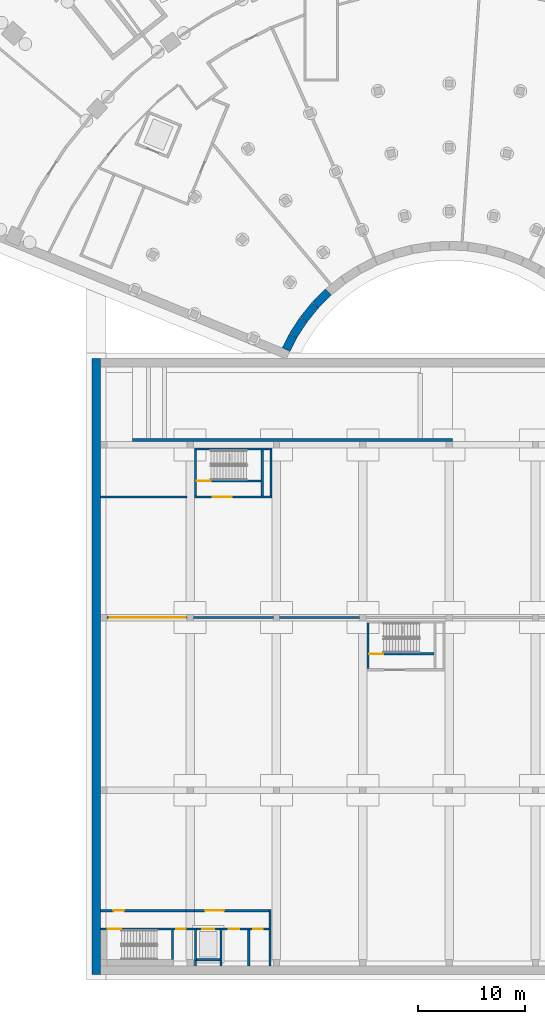
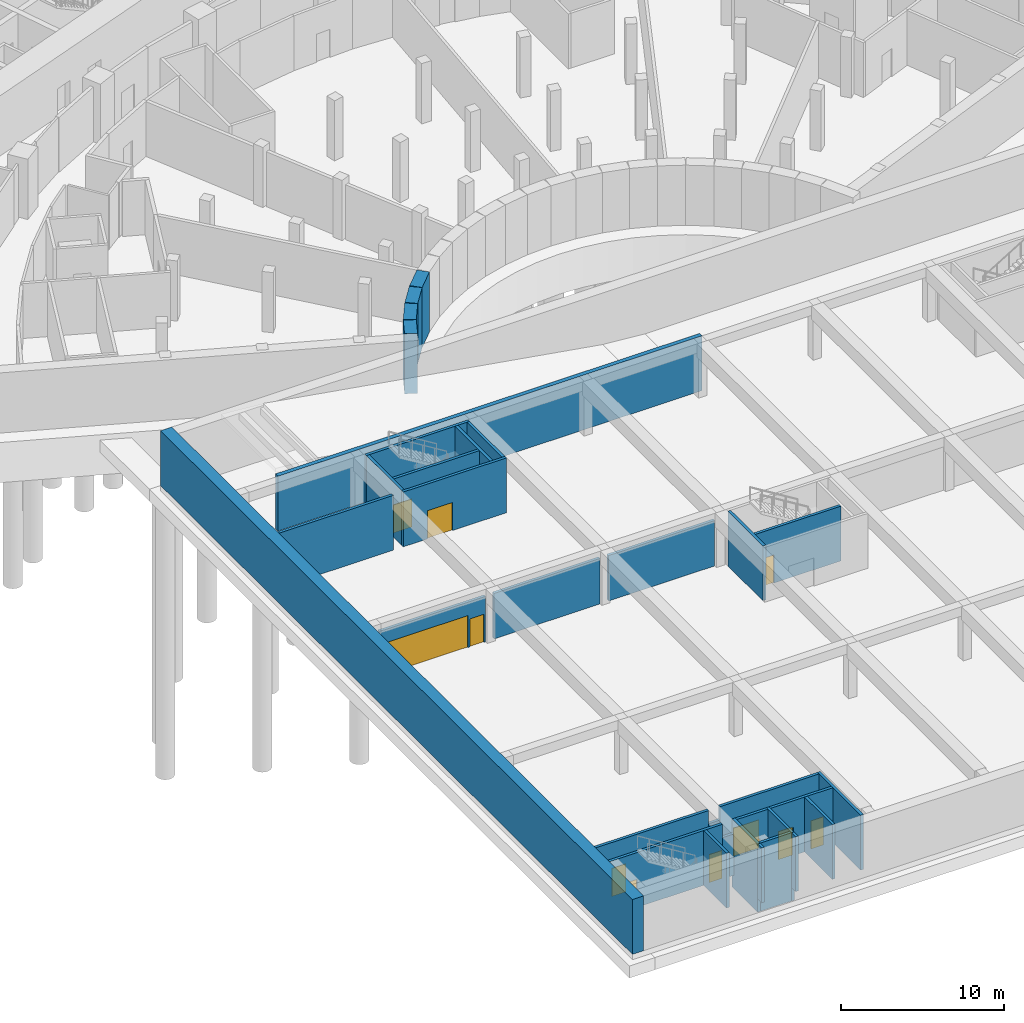
# One storey, part 5 of 25: 33 walls, 12 doors, 12 openings.
"""IFC4 building model written with IfcOpenShell, lengths in metres."""

import ifcopenshell
import ifcopenshell.guid

model = None  # the IFC model being written
_history = None  # IfcOwnerHistory: only IFC2X3 demands one
_inside = {}  # id of a spatial element -> (the spatial element, [elements in it])
_under = {}  # id of a project, library or spatial element -> (it, [spatial elements below it])
_declared = {}  # id of a project -> (the project, [libraries it declares])
_typed = {}  # id of a type object -> (the type object, [elements of that type])
_made_of = {}  # id of a material, layer set ... -> (it, [elements and type objects made of it])


def new_model(schema):
    """Start an empty IFC model of exactly this schema.

    Asked for "IFC4X3", IfcOpenShell would pick the latest addendum, in which some entities
    have other attributes; the version numbers below select the first issue.
    IFC2X3 requires an IfcOwnerHistory on every rooted entity: one is made here for all.
    """
    global model, _history
    if schema == "IFC4X3":
        model = ifcopenshell.file(schema_version=(4, 3, 0, 0))
    else:
        model = ifcopenshell.file(schema=schema)
    _inside.clear()
    _under.clear()
    _declared.clear()
    _typed.clear()
    _made_of.clear()
    _history = None
    if model.schema == "IFC2X3":
        org = make("IfcOrganization", Name="unknown")
        user = make(
            "IfcPersonAndOrganization",
            ThePerson=make("IfcPerson", FamilyName="unknown"),
            TheOrganization=org,
        )
        app = make(
            "IfcApplication",
            ApplicationDeveloper=org,
            Version="unknown",
            ApplicationFullName="unknown",
            ApplicationIdentifier="unknown",
        )
        _history = make(
            "IfcOwnerHistory",
            OwningUser=user,
            OwningApplication=app,
            ChangeAction="ADDED",
            CreationDate=0,
        )
    return model


def make(cls, **values):
    """One entity of the class cls with the attributes given. An attribute that is None is left unset."""
    return model.create_entity(
        cls, **{name: value for name, value in values.items() if value is not None}
    )


def rooted(cls, **values):
    """An entity with a GlobalId (a new one), such as an element, a storey or a relation."""
    return make(cls, GlobalId=ifcopenshell.guid.new(), OwnerHistory=_history, **values)


def si_unit(unit_type, name, prefix=None):
    """IfcSIUnit, for example si_unit("LENGTHUNIT", "METRE", prefix="MILLI")."""
    return make("IfcSIUnit", UnitType=unit_type, Prefix=prefix, Name=name)


def assignment(units):
    """IfcUnitAssignment: the units of a project."""
    return None if units is None else make("IfcUnitAssignment", Units=units)


def point(xyz):
    """IfcCartesianPoint."""
    return None if xyz is None else make("IfcCartesianPoint", Coordinates=xyz)


def direction(xyz):
    """IfcDirection."""
    return None if xyz is None else make("IfcDirection", DirectionRatios=xyz)


def frame(location, z_axis=None, x_axis=None):
    """IfcAxis2Placement3D, a coordinate frame: its origin and axes. An axis left out is left unset."""
    return make(
        "IfcAxis2Placement3D",
        Location=point(location),
        Axis=direction(z_axis),
        RefDirection=direction(x_axis),
    )


def frame_2d(location, x_axis=None):
    """IfcAxis2Placement2D, a coordinate frame in the plane: its origin and x axis."""
    return make(
        "IfcAxis2Placement2D", Location=point(location), RefDirection=direction(x_axis)
    )


def origin():
    """The frame at (0, 0, 0) with its axes left unset."""
    return frame((0.0, 0.0, 0.0))


def place(relative_to, where):
    """IfcLocalPlacement: puts the frame where relative to a parent placement (None: the world)."""
    return make(
        "IfcLocalPlacement", PlacementRelTo=relative_to, RelativePlacement=where
    )


def context(
    kind, dimensions, precision=None, world=None, true_north=None, identifier=None
):
    """IfcGeometricRepresentationContext, for example the 3D "Model" context."""
    return make(
        "IfcGeometricRepresentationContext",
        ContextIdentifier=identifier,
        ContextType=kind,
        CoordinateSpaceDimension=dimensions,
        Precision=precision,
        WorldCoordinateSystem=world,
        TrueNorth=true_north,
    )


def subcontext(parent, identifier, kind, view, scale=None):
    """IfcGeometricRepresentationSubContext, for example "Body" below "Model"."""
    return make(
        "IfcGeometricRepresentationSubContext",
        ContextIdentifier=identifier,
        ContextType=kind,
        ParentContext=parent,
        TargetScale=scale,
        TargetView=view,
    )


def project(units=None, contexts=None):
    """IfcProject with its units and contexts."""
    return rooted(
        "IfcProject",
        Name="project",
        RepresentationContexts=contexts,
        UnitsInContext=assignment(units),
    )


def spatial(cls, under=None, at=None, **own):
    """A site, building, storey or space (cls), placed at a placement, below another one or the project."""
    s = rooted(cls, ObjectPlacement=at, **own)
    if under is not None:
        _under.setdefault(under.id(), (under, []))[1].append(s)
    return s


def profile(cls, at=None, kind="AREA", **sizes):
    """A parametric profile (cls). Its sizes go by their IFC names, for example OverallWidth=200.0."""
    return make(cls, ProfileType=kind, Position=at, **sizes)


def rectangle(**sizes):
    """IfcRectangleProfileDef."""
    return profile("IfcRectangleProfileDef", **sizes)


def extrude(swept, where, along, depth):
    """IfcExtrudedAreaSolid: the profile swept, set in the frame where, extruded along a direction by depth."""
    return make(
        "IfcExtrudedAreaSolid",
        SweptArea=swept,
        Position=where,
        ExtrudedDirection=direction(along),
        Depth=depth,
    )


def shape(context_of_items, identifier, shape_type, items):
    """IfcShapeRepresentation: the items that make up one representation, for example the "Body"."""
    return make(
        "IfcShapeRepresentation",
        ContextOfItems=context_of_items,
        RepresentationIdentifier=identifier,
        RepresentationType=shape_type,
        Items=items,
    )


def material(Name=None, Category=None):
    """IfcMaterial."""
    return make("IfcMaterial", Name=Name, Category=Category)


def layer(
    of_material, thickness, ventilated=None, Name=None, Category=None, Priority=None
):
    """IfcMaterialLayer: one layer of a wall or slab, of a material (None: an air gap)."""
    return make(
        "IfcMaterialLayer",
        Material=of_material,
        LayerThickness=thickness,
        IsVentilated=ventilated,
        Name=Name,
        Category=Category,
        Priority=Priority,
    )


def layer_set(layers, Name=None):
    """IfcMaterialLayerSet."""
    return make("IfcMaterialLayerSet", MaterialLayers=layers, LayerSetName=Name)


def made_of(thing, what):
    """Note that an element or type object is made of a material, layer set ...; save() writes the relation."""
    if what is not None:
        _made_of.setdefault(what.id(), (what, []))[1].append(thing)
    return thing


def type_object(cls, material=None, **own):
    """A type object (cls), such as IfcWallType, which elements share."""
    return made_of(rooted(cls, **own), material)


def element(
    cls,
    number,
    at=None,
    inside=None,
    cuts=None,
    type_object=None,
    material=None,
    context=None,
    identifier="Body",
    shape_type=None,
    held_by="IfcProductDefinitionShape",
    body=None,
    shapes=None,
    **own,
):
    """One element of the class cls, such as IfcWall. Its Tag is "e" and its number.

    at: its placement. inside: the storey or other place that contains it. cuts: it is an
    opening in that element (IfcRelVoidsElement). A single representation is given by context,
    identifier, shape_type and body (its items); several are given by shapes. held_by: the class
    of the entity that holds the representations. save() writes the other relations.
    """
    e = rooted(cls, Tag="e%d" % number, ObjectPlacement=at, **own)
    if body is not None:
        shapes = [shape(context, identifier, shape_type, body)]
    if shapes is not None:
        e.Representation = make(held_by, Representations=shapes)
    if inside is not None:
        _inside.setdefault(inside.id(), (inside, []))[1].append(e)
    if cuts is not None:
        rooted(
            "IfcRelVoidsElement", RelatingBuildingElement=cuts, RelatedOpeningElement=e
        )
    if type_object is not None:
        _typed.setdefault(type_object.id(), (type_object, []))[1].append(e)
    return made_of(e, material)


def fill(opening, filler):
    """IfcRelFillsElement: the door or window that sits in an opening."""
    return rooted(
        "IfcRelFillsElement",
        RelatingOpeningElement=opening,
        RelatedBuildingElement=filler,
    )


def aggregate(whole, parts):
    """IfcRelAggregates: a whole, such as a stair, and the parts it consists of."""
    return rooted("IfcRelAggregates", RelatingObject=whole, RelatedObjects=parts)


def save(model, path):
    """Write the relations noted so far, then the file.

    IfcRelAggregates (storeys below a building ...), IfcRelContainedInSpatialStructure (elements
    in a storey), IfcRelDefinesByType, IfcRelAssociatesMaterial and IfcRelDeclares: one each for
    every whole, place, type object, material and project.
    """
    for whole, parts in _under.values():
        aggregate(whole, parts)
    for where, things in _inside.values():
        rooted(
            "IfcRelContainedInSpatialStructure",
            RelatedElements=things,
            RelatingStructure=where,
        )
    for kind, things in _typed.values():
        rooted("IfcRelDefinesByType", RelatedObjects=things, RelatingType=kind)
    for what, things in _made_of.values():
        rooted("IfcRelAssociatesMaterial", RelatedObjects=things, RelatingMaterial=what)
    for by, libraries in _declared.values():
        rooted("IfcRelDeclares", RelatingContext=by, RelatedDefinitions=libraries)
    model.write(path)


model = new_model("IFC4")

# Units and contexts
model_context = context("Model", 3, precision=1e-05, world=origin(), true_north=direction((0.0, 1.0)))
body_context = subcontext(model_context, "Body", "Model", "MODEL_VIEW")
ifc_project = project(units=[si_unit("LENGTHUNIT", "METRE"), si_unit("AREAUNIT", "SQUARE_METRE"), si_unit("VOLUMEUNIT", "CUBIC_METRE"), si_unit("PLANEANGLEUNIT", "RADIAN"), si_unit("MASSUNIT", "GRAM", prefix="KILO")], contexts=[model_context])

# Site, building, storey
site_placement = place(None, origin())
site = spatial("IfcSite", under=ifc_project, at=site_placement, CompositionType="ELEMENT")
building_placement = place(site_placement, origin())
building = spatial("IfcBuilding", under=site, at=building_placement, Name="Stone Belt Terrace Tower", CompositionType="ELEMENT")
storey_placement = place(building_placement, frame((0.0, 0.0, -13.5)))
storey = spatial("IfcBuildingStorey", under=building, at=storey_placement, Name="B3", CompositionType="ELEMENT", Elevation=-13.5)

# Walls
ifc_material_1 = material(Name="Concrete B30", Category="concrete")
ifc_layer_1 = layer(ifc_material_1, 0.800048828125)
ifc_layer_set_1 = layer_set([ifc_layer_1], Name="Basement wall 800 B30")
wall_type_1 = type_object("IfcWallType", Name="Basement wall 800 B30", PredefinedType="SHEAR", material=ifc_layer_set_1)
wall_1_placement = place(storey_placement, frame((-15.30029296875, 7.13427734375, 0.0), z_axis=(0.0, 0.0, 1.0), x_axis=(0.450505301603, 0.892773752542, 0.0)))
element("IfcWall", 1, at=wall_1_placement, inside=storey, type_object=wall_type_1, Name="Basement wall B3 1", PredefinedType="SHEAR", context=body_context, shape_type="SweptSolid", body=[
    extrude(rectangle(XDim=1.452392578125, YDim=0.800048828125, at=frame_2d((0.72607421875, 0.0))), origin(), (0.0, 0.0, 1.0), 4.5),
])
wall_2_placement = place(storey_placement, frame((-14.62451171875, 8.468505859375, 0.0), z_axis=(0.0, 0.0, 1.0), x_axis=(0.544739789937, 0.838605128329, 0.0)))
element("IfcWall", 2, at=wall_2_placement, inside=storey, type_object=wall_type_1, Name="Basement wall B3 2", PredefinedType="SHEAR", context=body_context, shape_type="SweptSolid", body=[
    extrude(rectangle(XDim=1.726318359375, YDim=0.800048828125, at=frame_2d((0.86328125, 0.0))), origin(), (0.0, 0.0, 1.0), 4.5),
])
for number, where, z_axis, x_axis, name in (
    (3, (-13.65966796875, 9.9501953125, 0.0), (0.0, 0.0, 1.0), (0.629303947211, 0.777159277127, 0.0), "Basement wall B3 3"),
    (4, (-12.544677734375, 11.323486328125, 0.0), (0.0, 0.0, 1.0), (0.707106781187, 0.707106781187, 0.0), "Basement wall B3 4"),
):
    element("IfcWall", number, at=place(storey_placement, frame(where, z_axis=z_axis, x_axis=x_axis)), inside=storey, type_object=wall_type_1, Name=name, PredefinedType="SHEAR", context=body_context, shape_type="SweptSolid", body=[
        extrude(rectangle(XDim=1.72705078125, YDim=0.800048828125, at=frame_2d((0.863525390625, 0.0))), origin(), (0.0, 0.0, 1.0), 4.5),
    ])
ifc_layer_2 = layer(ifc_material_1, 0.199951171875)
ifc_layer_set_2 = layer_set([ifc_layer_2], Name="Car park core wall 200")
wall_type_2 = type_object("IfcWallType", Name="Car park core wall 200", PredefinedType="SOLIDWALL", material=ifc_layer_set_2)
wall_3_placement = place(storey_placement, frame((-32.699951171875, -6.699951171875, 0.0), z_axis=(0.0, 0.0, 1.0), x_axis=(1.0, 0.0, 0.0)))
element("IfcWall", 5, at=wall_3_placement, inside=storey, type_object=wall_type_2, Name="Car park lane end wall", PredefinedType="SOLIDWALL", context=body_context, shape_type="SweptSolid", body=[
    extrude(rectangle(XDim=8.099853515625, YDim=0.199951171875, at=frame_2d((4.0498046875, 0.0))), origin(), (0.0, 0.0, 1.0), 4.10009765625),
])
wall_4_placement = place(storey_placement, frame((-25.93994140625, -50.10009765625, 0.0), z_axis=(0.0, 0.0, 1.0), x_axis=(0.0, 1.0, 0.0)))
element("IfcWall", 6, at=wall_4_placement, inside=storey, type_object=wall_type_2, Name="Car park stair 1 wall", PredefinedType="SOLIDWALL", context=body_context, shape_type="SweptSolid", body=[
    extrude(rectangle(XDim=2.800048828125, YDim=0.199951171875, at=frame_2d((1.39990234375, 0.0))), origin(), (0.0, 0.0, 1.0), 4.10009765625),
])

# Wall, openings, doors
wall_5_placement = place(storey_placement, frame((-32.699951171875, -47.199951171875, 0.0), z_axis=(0.0, 0.0, 1.0), x_axis=(1.0, 0.0, 0.0)))
wall_5 = element("IfcWall", 7, at=wall_5_placement, inside=storey, type_object=wall_type_2, Name="Car park core 1 wall", PredefinedType="SOLIDWALL", context=body_context, shape_type="SweptSolid", body=[
    extrude(rectangle(XDim=8.0, YDim=0.199951171875, at=frame_2d((4.0, 0.0))), origin(), (0.0, 0.0, 1.0), 4.10009765625),
])
opening_1_placement = place(wall_5_placement, frame((0.64990234375, 0.0, 0.0)))
opening_1 = element("IfcOpeningElement", 8, at=opening_1_placement, cuts=wall_5, Name="Opening B3-S05", PredefinedType="OPENING", context=body_context, shape_type="SweptSolid", body=[
    extrude(rectangle(XDim=1.300048828125, YDim=2.10009765625, at=frame_2d((0.64990234375, 1.050048828125))), frame((0.0, 0.10986328125, 0.0), z_axis=(0.0, -1.0, 0.0), x_axis=(1.0, 0.0, 0.0)), (0.0, 0.0, 1.0), 0.219970703125),
])
opening_2_placement = place(wall_5_placement, frame((7.10009765625, 0.0, 0.0)))
opening_2 = element("IfcOpeningElement", 9, at=opening_2_placement, cuts=wall_5, Name="Opening B3-S06", PredefinedType="OPENING", context=body_context, shape_type="SweptSolid", body=[
    extrude(rectangle(XDim=0.89990234375, YDim=2.10009765625, at=frame_2d((0.449951171875, 1.050048828125))), frame((0.0, 0.10986328125, 0.0), z_axis=(0.0, -1.0, 0.0), x_axis=(1.0, 0.0, 0.0)), (0.0, 0.0, 1.0), 0.219970703125),
])
ifc_material_2 = material(Name="Steel door leaf", Category="steel")
door_type_1 = type_object("IfcDoorType", Name="Core door 1300 fire rated", OperationType="NOTDEFINED", PredefinedType="DOOR", material=ifc_material_2)
door_1_placement = place(opening_1_placement, origin())
door_1 = element("IfcDoor", 10, at=door_1_placement, inside=storey, type_object=door_type_1, Name="Stair 1 door", OperationType="SINGLE_SWING_LEFT", OverallHeight=2.10009765625, OverallWidth=1.300048828125, PredefinedType="DOOR", context=body_context, shape_type="SweptSolid", body=[
    extrude(rectangle(XDim=1.300048828125, YDim=2.10009765625, at=frame_2d((0.64990234375, 1.050048828125))), frame((0.0, 0.02490234375, 0.0), z_axis=(0.0, -1.0, 0.0), x_axis=(1.0, 0.0, 0.0)), (0.0, 0.0, 1.0), 0.050048828125),
])
fill(opening_1, door_1)
door_type_2 = type_object("IfcDoorType", Name="Core door 900 fire rated", OperationType="NOTDEFINED", PredefinedType="DOOR", material=ifc_material_2)
door_2_placement = place(opening_2_placement, origin())
door_2 = element("IfcDoor", 11, at=door_2_placement, inside=storey, type_object=door_type_2, Name="Riser room 1 door", OperationType="SINGLE_SWING_RIGHT", OverallHeight=2.10009765625, OverallWidth=0.89990234375, PredefinedType="DOOR", context=body_context, shape_type="SweptSolid", body=[
    extrude(rectangle(XDim=0.89990234375, YDim=2.10009765625, at=frame_2d((0.449951171875, 1.050048828125))), frame((0.0, 0.02490234375, 0.0), z_axis=(0.0, -1.0, 0.0), x_axis=(1.0, 0.0, 0.0)), (0.0, 0.0, 1.0), 0.050048828125),
])
fill(opening_2, door_2)

wall_6_placement = place(storey_placement, frame((-21.300048828125, -47.199951171875, 0.0), z_axis=(0.0, 0.0, 1.0), x_axis=(1.0, 0.0, 0.0)))
wall_6 = element("IfcWall", 12, at=wall_6_placement, inside=storey, type_object=wall_type_2, Name="Car park core 1 wall", PredefinedType="SOLIDWALL", context=body_context, shape_type="SweptSolid", body=[
    extrude(rectangle(XDim=4.400146484375, YDim=0.199951171875, at=frame_2d((2.2001953125, 0.0))), origin(), (0.0, 0.0, 1.0), 4.10009765625),
])
opening_3_placement = place(wall_6_placement, frame((0.60009765625, 0.0, 0.0)))
opening_3 = element("IfcOpeningElement", 13, at=opening_3_placement, cuts=wall_6, Name="Opening B3-S08", PredefinedType="OPENING", context=body_context, shape_type="SweptSolid", body=[
    extrude(rectangle(XDim=1.0, YDim=2.10009765625, at=frame_2d((0.5, 1.050048828125))), frame((0.0, 0.10986328125, 0.0), z_axis=(0.0, -1.0, 0.0), x_axis=(1.0, 0.0, 0.0)), (0.0, 0.0, 1.0), 0.219970703125),
])
opening_4_placement = place(wall_6_placement, frame((2.89990234375, 0.0, 0.0)))
opening_4 = element("IfcOpeningElement", 14, at=opening_4_placement, cuts=wall_6, Name="Opening B3-S09", PredefinedType="OPENING", context=body_context, shape_type="SweptSolid", body=[
    extrude(rectangle(XDim=0.89990234375, YDim=2.10009765625, at=frame_2d((0.449951171875, 1.050048828125))), frame((0.0, 0.10986328125, 0.0), z_axis=(0.0, -1.0, 0.0), x_axis=(1.0, 0.0, 0.0)), (0.0, 0.0, 1.0), 0.219970703125),
])
door_type_3 = type_object("IfcDoorType", Name="Core door 1000 fire rated", OperationType="NOTDEFINED", PredefinedType="DOOR", material=ifc_material_2)
door_3_placement = place(opening_3_placement, origin())
door_3 = element("IfcDoor", 15, at=door_3_placement, inside=storey, type_object=door_type_3, Name="Accessible WC 1 door", OperationType="SINGLE_SWING_LEFT", OverallHeight=2.10009765625, OverallWidth=1.0, PredefinedType="DOOR", context=body_context, shape_type="SweptSolid", body=[
    extrude(rectangle(XDim=1.0, YDim=2.10009765625, at=frame_2d((0.5, 1.050048828125))), frame((0.0, 0.02490234375, 0.0), z_axis=(0.0, -1.0, 0.0), x_axis=(1.0, 0.0, 0.0)), (0.0, 0.0, 1.0), 0.050048828125),
])
fill(opening_3, door_3)
door_4_placement = place(opening_4_placement, origin())
door_4 = element("IfcDoor", 16, at=door_4_placement, inside=storey, type_object=door_type_2, Name="Equipment store 1 door", OperationType="SINGLE_SWING_RIGHT", OverallHeight=2.10009765625, OverallWidth=0.89990234375, PredefinedType="DOOR", context=body_context, shape_type="SweptSolid", body=[
    extrude(rectangle(XDim=0.89990234375, YDim=2.10009765625, at=frame_2d((0.449951171875, 1.050048828125))), frame((0.0, 0.02490234375, 0.0), z_axis=(0.0, -1.0, 0.0), x_axis=(1.0, 0.0, 0.0)), (0.0, 0.0, 1.0), 0.050048828125),
])
fill(opening_4, door_4)

# Walls
for number, where, z_axis, x_axis, name in (
    (17, (-23.800048828125, -50.699951171875, 0.0), (0.0, 0.0, 1.0), (0.0, 1.0, 0.0), "Car park core 1 wall"),
    (18, (-21.39990234375, -50.699951171875, 0.0), (0.0, 0.0, 1.0), (0.0, 1.0, 0.0), "Car park core 1 wall"),
):
    element("IfcWall", number, at=place(storey_placement, frame(where, z_axis=z_axis, x_axis=x_axis)), inside=storey, type_object=wall_type_2, Name=name, PredefinedType="SOLIDWALL", context=body_context, shape_type="SweptSolid", body=[
        extrude(rectangle(XDim=0.5, YDim=0.199951171875, at=frame_2d((0.25, 0.0))), origin(), (0.0, 0.0, 1.0), 4.10009765625),
    ])
wall_7_placement = place(storey_placement, frame((-16.800048828125, -50.699951171875, 0.0), z_axis=(0.0, 0.0, 1.0), x_axis=(0.0, 1.0, 0.0)))
element("IfcWall", 19, at=wall_7_placement, inside=storey, type_object=wall_type_2, Name="Car park core 1 wall", PredefinedType="SOLIDWALL", context=body_context, shape_type="SweptSolid", body=[
    extrude(rectangle(XDim=5.300048828125, YDim=0.199951171875, at=frame_2d((2.64990234375, 0.0))), origin(), (0.0, 0.0, 1.0), 4.10009765625),
])

# Wall, opening, door
wall_8_placement = place(storey_placement, frame((-32.699951171875, -45.5, 0.0), z_axis=(0.0, 0.0, 1.0), x_axis=(1.0, 0.0, 0.0)))
wall_8 = element("IfcWall", 20, at=wall_8_placement, inside=storey, type_object=wall_type_2, Name="Car park core 1 front wall", PredefinedType="SOLIDWALL", context=body_context, shape_type="SweptSolid", body=[
    extrude(rectangle(XDim=8.0, YDim=0.199951171875, at=frame_2d((4.0, 0.0))), origin(), (0.0, 0.0, 1.0), 4.10009765625),
])
opening_5_placement = place(wall_8_placement, frame((1.199951171875, 0.0, 0.0)))
opening_5 = element("IfcOpeningElement", 21, at=opening_5_placement, cuts=wall_8, Name="Opening B3-S11", PredefinedType="OPENING", context=body_context, shape_type="SweptSolid", body=[
    extrude(rectangle(XDim=1.0, YDim=2.10009765625, at=frame_2d((0.5, 1.050048828125))), frame((0.0, 0.10986328125, 0.0), z_axis=(0.0, -1.0, 0.0), x_axis=(1.0, 0.0, 0.0)), (0.0, 0.0, 1.0), 0.219970703125),
])
door_5_placement = place(opening_5_placement, origin())
door_5 = element("IfcDoor", 22, at=door_5_placement, inside=storey, type_object=door_type_3, Name="Car park exit 1 door", OperationType="SINGLE_SWING_RIGHT", OverallHeight=2.10009765625, OverallWidth=1.0, PredefinedType="DOOR", context=body_context, shape_type="SweptSolid", body=[
    extrude(rectangle(XDim=1.0, YDim=2.10009765625, at=frame_2d((0.5, 1.050048828125))), frame((0.0, 0.02490234375, 0.0), z_axis=(0.0, -1.0, 0.0), x_axis=(1.0, 0.0, 0.0)), (0.0, 0.0, 1.0), 0.050048828125),
])
fill(opening_5, door_5)

wall_9_placement = place(storey_placement, frame((-23.89990234375, -45.5, 0.0), z_axis=(0.0, 0.0, 1.0), x_axis=(1.0, 0.0, 0.0)))
wall_9 = element("IfcWall", 23, at=wall_9_placement, inside=storey, type_object=wall_type_2, Name="Car park core 1 front wall", PredefinedType="SOLIDWALL", context=body_context, shape_type="SweptSolid", body=[
    extrude(rectangle(XDim=7.0, YDim=0.199951171875, at=frame_2d((3.5, 0.0))), origin(), (0.0, 0.0, 1.0), 4.10009765625),
])
opening_6_placement = place(wall_9_placement, frame((1.0, 0.0, 0.0)))
opening_6 = element("IfcOpeningElement", 24, at=opening_6_placement, cuts=wall_9, Name="Opening B3-S10", PredefinedType="OPENING", context=body_context, shape_type="SweptSolid", body=[
    extrude(rectangle(XDim=1.800048828125, YDim=2.10009765625, at=frame_2d((0.89990234375, 1.050048828125))), frame((0.0, 0.10986328125, 0.0), z_axis=(0.0, -1.0, 0.0), x_axis=(1.0, 0.0, 0.0)), (0.0, 0.0, 1.0), 0.219970703125),
])
door_type_4 = type_object("IfcDoorType", Name="Core door pair 1800 fire rated", OperationType="DOUBLE_DOOR_DOUBLE_SWING", PredefinedType="DOOR", material=ifc_material_2)
door_6_placement = place(opening_6_placement, origin())
door_6 = element("IfcDoor", 25, at=door_6_placement, inside=storey, type_object=door_type_4, Name="Car park lobby 1 door", OperationType="SINGLE_SWING_LEFT", OverallHeight=2.10009765625, OverallWidth=1.800048828125, PredefinedType="DOOR", context=body_context, shape_type="SweptSolid", body=[
    extrude(rectangle(XDim=1.800048828125, YDim=2.10009765625, at=frame_2d((0.89990234375, 1.050048828125))), frame((0.0, 0.02490234375, 0.0), z_axis=(0.0, -1.0, 0.0), x_axis=(1.0, 0.0, 0.0)), (0.0, 0.0, 1.0), 0.050048828125),
])
fill(opening_6, door_6)

wall_10_placement = place(storey_placement, frame((-23.89990234375, -6.699951171875, 0.0), z_axis=(0.0, 0.0, 1.0), x_axis=(1.0, 0.0, 0.0)))
wall_10 = element("IfcWall", 26, at=wall_10_placement, inside=storey, type_object=wall_type_2, Name="Car park stair 3 front wall", PredefinedType="SOLIDWALL", context=body_context, shape_type="SweptSolid", body=[
    extrude(rectangle(XDim=7.2998046875, YDim=0.199951171875, at=frame_2d((3.64990234375, 0.0))), origin(), (0.0, 0.0, 1.0), 4.10009765625),
])
opening_7_placement = place(wall_10_placement, frame((1.699951171875, 0.0, 0.0)))
opening_7 = element("IfcOpeningElement", 27, at=opening_7_placement, cuts=wall_10, Name="Opening B3-S20", PredefinedType="OPENING", context=body_context, shape_type="SweptSolid", body=[
    extrude(rectangle(XDim=1.800048828125, YDim=2.10009765625, at=frame_2d((0.89990234375, 1.050048828125))), frame((0.0, 0.10986328125, 0.0), z_axis=(0.0, -1.0, 0.0), x_axis=(1.0, 0.0, 0.0)), (0.0, 0.0, 1.0), 0.219970703125),
])
door_7_placement = place(opening_7_placement, origin())
door_7 = element("IfcDoor", 28, at=door_7_placement, inside=storey, type_object=door_type_4, Name="Car park stair 3 vestibule door", OperationType="SINGLE_SWING_LEFT", OverallHeight=2.10009765625, OverallWidth=1.800048828125, PredefinedType="DOOR", context=body_context, shape_type="SweptSolid", body=[
    extrude(rectangle(XDim=1.800048828125, YDim=2.10009765625, at=frame_2d((0.89990234375, 1.050048828125))), frame((0.0, 0.02490234375, 0.0), z_axis=(0.0, -1.0, 0.0), x_axis=(1.0, 0.0, 0.0)), (0.0, 0.0, 1.0), 0.050048828125),
])
fill(opening_7, door_7)

# Walls
for number, where, z_axis, x_axis, name in (
    (29, (-23.800048828125, -6.60009765625, 0.0), (0.0, 0.0, 1.0), (0.0, 1.0, 0.0), "Car park stair 3 wall"),
    (30, (-17.5400390625, -6.60009765625, 0.0), (0.0, 0.0, 1.0), (0.0, 1.0, 0.0), "Car park stair 3 wall"),
):
    element("IfcWall", number, at=place(storey_placement, frame(where, z_axis=z_axis, x_axis=x_axis)), inside=storey, type_object=wall_type_2, Name=name, PredefinedType="SOLIDWALL", context=body_context, shape_type="SweptSolid", body=[
        extrude(rectangle(XDim=4.300048828125, YDim=0.199951171875, at=frame_2d((2.14990234375, 0.0))), origin(), (0.0, 0.0, 1.0), 4.10009765625),
    ])
wall_11_placement = place(storey_placement, frame((-23.89990234375, -2.199951171875, 0.0), z_axis=(0.0, 0.0, 1.0), x_axis=(1.0, 0.0, 0.0)))
element("IfcWall", 31, at=wall_11_placement, inside=storey, type_object=wall_type_2, Name="Car park stair 3 wall", PredefinedType="SOLIDWALL", context=body_context, shape_type="SweptSolid", body=[
    extrude(rectangle(XDim=7.2998046875, YDim=0.199951171875, at=frame_2d((3.64990234375, 0.0))), origin(), (0.0, 0.0, 1.0), 4.10009765625),
])
wall_12_placement = place(storey_placement, frame((-16.699951171875, -6.60009765625, 0.0), z_axis=(0.0, 0.0, 1.0), x_axis=(0.0, 1.0, 0.0)))
element("IfcWall", 32, at=wall_12_placement, inside=storey, type_object=wall_type_2, Name="Car park stair 3 wall", PredefinedType="SOLIDWALL", context=body_context, shape_type="SweptSolid", body=[
    extrude(rectangle(XDim=4.300048828125, YDim=0.199951171875, at=frame_2d((2.14990234375, 0.0))), origin(), (0.0, 0.0, 1.0), 4.10009765625),
])

# Wall, opening, door
wall_13_placement = place(storey_placement, frame((-23.699951171875, -5.199951171875, 0.0), z_axis=(0.0, 0.0, 1.0), x_axis=(1.0, 0.0, 0.0)))
wall_13 = element("IfcWall", 33, at=wall_13_placement, inside=storey, type_object=wall_type_2, Name="Car park stair 3 vestibule wall", PredefinedType="SOLIDWALL", context=body_context, shape_type="SweptSolid", body=[
    extrude(rectangle(XDim=6.06005859375, YDim=0.199951171875, at=frame_2d((3.030029296875, 0.0))), origin(), (0.0, 0.0, 1.0), 4.10009765625),
])
opening_8_placement = place(wall_13_placement, frame((0.02490234375, 0.0, 0.0)))
opening_8 = element("IfcOpeningElement", 34, at=opening_8_placement, cuts=wall_13, Name="Opening B3-S19", PredefinedType="OPENING", context=body_context, shape_type="SweptSolid", body=[
    extrude(rectangle(XDim=1.300048828125, YDim=2.10009765625, at=frame_2d((0.64990234375, 1.050048828125))), frame((0.0, 0.10986328125, 0.0), z_axis=(0.0, -1.0, 0.0), x_axis=(1.0, 0.0, 0.0)), (0.0, 0.0, 1.0), 0.219970703125),
])
door_8_placement = place(opening_8_placement, origin())
door_8 = element("IfcDoor", 35, at=door_8_placement, inside=storey, type_object=door_type_1, Name="Stair 3 door", OperationType="SINGLE_SWING_LEFT", OverallHeight=2.10009765625, OverallWidth=1.300048828125, PredefinedType="DOOR", context=body_context, shape_type="SweptSolid", body=[
    extrude(rectangle(XDim=1.300048828125, YDim=2.10009765625, at=frame_2d((0.64990234375, 1.050048828125))), frame((0.0, 0.02490234375, 0.0), z_axis=(0.0, -1.0, 0.0), x_axis=(1.0, 0.0, 0.0)), (0.0, 0.0, 1.0), 0.050048828125),
])
fill(opening_8, door_8)

# Wall
wall_14_placement = place(storey_placement, frame((-7.60009765625, -22.800048828125, 0.0), z_axis=(0.0, 0.0, 1.0), x_axis=(0.0, 1.0, 0.0)))
element("IfcWall", 36, at=wall_14_placement, inside=storey, type_object=wall_type_2, Name="Car park stair 5 wall", PredefinedType="SOLIDWALL", context=body_context, shape_type="SweptSolid", body=[
    extrude(rectangle(XDim=4.300048828125, YDim=0.199951171875, at=frame_2d((2.14990234375, 0.0))), origin(), (0.0, 0.0, 1.0), 4.10009765625),
])

# Wall, opening, door
wall_15_placement = place(storey_placement, frame((-7.5, -21.39990234375, 0.0), z_axis=(0.0, 0.0, 1.0), x_axis=(1.0, 0.0, 0.0)))
wall_15 = element("IfcWall", 37, at=wall_15_placement, inside=storey, type_object=wall_type_2, Name="Car park stair 5 vestibule wall", PredefinedType="SOLIDWALL", context=body_context, shape_type="SweptSolid", body=[
    extrude(rectangle(XDim=6.06005859375, YDim=0.199951171875, at=frame_2d((3.030029296875, 0.0))), origin(), (0.0, 0.0, 1.0), 4.10009765625),
])
opening_9_placement = place(wall_15_placement, frame((0.02490234375, 0.0, 0.0)))
opening_9 = element("IfcOpeningElement", 38, at=opening_9_placement, cuts=wall_15, Name="Opening B3-S23", PredefinedType="OPENING", context=body_context, shape_type="SweptSolid", body=[
    extrude(rectangle(XDim=1.300048828125, YDim=2.10009765625, at=frame_2d((0.64990234375, 1.050048828125))), frame((0.0, 0.10986328125, 0.0), z_axis=(0.0, -1.0, 0.0), x_axis=(1.0, 0.0, 0.0)), (0.0, 0.0, 1.0), 0.219970703125),
])
door_9_placement = place(opening_9_placement, origin())
door_9 = element("IfcDoor", 39, at=door_9_placement, inside=storey, type_object=door_type_1, Name="Stair 5 door", OperationType="SINGLE_SWING_LEFT", OverallHeight=2.10009765625, OverallWidth=1.300048828125, PredefinedType="DOOR", context=body_context, shape_type="SweptSolid", body=[
    extrude(rectangle(XDim=1.300048828125, YDim=2.10009765625, at=frame_2d((0.64990234375, 1.050048828125))), frame((0.0, 0.02490234375, 0.0), z_axis=(0.0, -1.0, 0.0), x_axis=(1.0, 0.0, 0.0)), (0.0, 0.0, 1.0), 0.050048828125),
])
fill(opening_9, door_9)

# Walls
ifc_layer_3 = layer(ifc_material_1, 0.199951171875)
ifc_layer_set_3 = layer_set([ifc_layer_3], Name="Car park core wall 200 variant A")
wall_type_3 = type_object("IfcWallType", Name="Car park core wall 200 variant A", PredefinedType="SOLIDWALL", material=ifc_layer_set_3)
for number, where, z_axis, x_axis, name in (
    (40, (-24.699951171875, -47.199951171875, 0.0), (0.0, 0.0, 1.0), (1.0, 0.0, 0.0), "Car park core 1 wall"),
    (41, (-24.699951171875, -45.5, 0.0), (0.0, 0.0, 1.0), (1.0, 0.0, 0.0), "Car park core 1 front wall"),
):
    element("IfcWall", number, at=place(storey_placement, frame(where, z_axis=z_axis, x_axis=x_axis)), inside=storey, type_object=wall_type_3, Name=name, PredefinedType="SOLIDWALL", context=body_context, shape_type="SweptSolid", body=[
        extrude(rectangle(XDim=0.800048828125, YDim=0.199951171875, at=frame_2d((0.39990234375, 0.0))), origin(), (0.0, 0.0, 1.0), 3.10009765625),
    ])

# Wall, opening, door
ifc_layer_4 = layer(ifc_material_1, 0.199951171875)
ifc_layer_set_4 = layer_set([ifc_layer_4], Name="Car park core wall 200 variant B")
wall_type_4 = type_object("IfcWallType", Name="Car park core wall 200 variant B", PredefinedType="SOLIDWALL", material=ifc_layer_set_4)
wall_16_placement = place(storey_placement, frame((-23.699951171875, -47.199951171875, -1.0), z_axis=(0.0, 0.0, 1.0), x_axis=(1.0, 0.0, 0.0)))
wall_16 = element("IfcWall", 42, at=wall_16_placement, inside=storey, type_object=wall_type_4, Name="Car park lift 1 shaft wall", PredefinedType="SOLIDWALL", context=body_context, shape_type="SweptSolid", body=[
    extrude(rectangle(XDim=2.199951171875, YDim=0.199951171875, at=frame_2d((1.10009765625, 0.0))), origin(), (0.0, 0.0, 1.0), 5.10009765625),
])
opening_10_placement = place(wall_16_placement, frame((0.550048828125, 0.0, 1.0)))
opening_10 = element("IfcOpeningElement", 43, at=opening_10_placement, cuts=wall_16, Name="Opening B3-S07", PredefinedType="OPENING", context=body_context, shape_type="SweptSolid", body=[
    extrude(rectangle(XDim=1.10009765625, YDim=2.10009765625, at=frame_2d((0.550048828125, 1.050048828125))), frame((0.0, 0.10986328125, 0.0), z_axis=(0.0, -1.0, 0.0), x_axis=(1.0, 0.0, 0.0)), (0.0, 0.0, 1.0), 0.219970703125),
])
ifc_material_3 = material(Name="Stainless steel", Category="steel")
door_type_5 = type_object("IfcDoorType", Name="Lift landing door 1100", OperationType="SLIDING_TO_LEFT", PredefinedType="DOOR", material=ifc_material_3)
door_10_placement = place(opening_10_placement, origin())
door_10 = element("IfcDoor", 44, at=door_10_placement, inside=storey, type_object=door_type_5, Name="Lift 1 landing door", OperationType="SLIDING_TO_LEFT", OverallHeight=2.10009765625, OverallWidth=1.10009765625, PredefinedType="DOOR", context=body_context, shape_type="SweptSolid", body=[
    extrude(rectangle(XDim=1.10009765625, YDim=2.10009765625, at=frame_2d((0.550048828125, 1.050048828125))), frame((0.0, 0.02490234375, 0.0), z_axis=(0.0, -1.0, 0.0), x_axis=(1.0, 0.0, 0.0)), (0.0, 0.0, 1.0), 0.050048828125),
])
fill(opening_10, door_10)

# Walls
for number, where, z_axis, x_axis, name in (
    (45, (-23.800048828125, -50.199951171875, -1.0), (0.0, 0.0, 1.0), (0.0, 1.0, 0.0), "Car park lift 1 shaft wall"),
    (46, (-21.39990234375, -50.199951171875, -1.0), (0.0, 0.0, 1.0), (0.0, 1.0, 0.0), "Car park lift 1 shaft wall"),
):
    element("IfcWall", number, at=place(storey_placement, frame(where, z_axis=z_axis, x_axis=x_axis)), inside=storey, type_object=wall_type_4, Name=name, PredefinedType="SOLIDWALL", context=body_context, shape_type="SweptSolid", body=[
        extrude(rectangle(XDim=3.099853515625, YDim=0.199951171875, at=frame_2d((1.5498046875, 0.0))), origin(), (0.0, 0.0, 1.0), 5.10009765625),
    ])
wall_17_placement = place(storey_placement, frame((-23.699951171875, -50.10009765625, -1.0), z_axis=(0.0, 0.0, 1.0), x_axis=(1.0, 0.0, 0.0)))
element("IfcWall", 47, at=wall_17_placement, inside=storey, type_object=wall_type_4, Name="Car park lift 1 shaft wall", PredefinedType="SOLIDWALL", context=body_context, shape_type="SweptSolid", body=[
    extrude(rectangle(XDim=2.199951171875, YDim=0.199951171875, at=frame_2d((1.10009765625, 0.0))), origin(), (0.0, 0.0, 1.0), 5.10009765625),
])
ifc_material_4 = material(Name="Blockwork", Category="masonry")
ifc_layer_5 = layer(ifc_material_4, 0.199951171875)
ifc_layer_set_5 = layer_set([ifc_layer_5], Name="Car park partition 200")
wall_type_5 = type_object("IfcWallType", Name="Car park partition 200", PredefinedType="PARTITIONING", material=ifc_layer_set_5)
wall_18_placement = place(storey_placement, frame((-18.800048828125, -50.699951171875, 0.0), z_axis=(0.0, 0.0, 1.0), x_axis=(0.0, 1.0, 0.0)))
element("IfcWall", 48, at=wall_18_placement, inside=storey, type_object=wall_type_5, Name="Car park core 1 partition", PredefinedType="PARTITIONING", context=body_context, shape_type="SweptSolid", body=[
    extrude(rectangle(XDim=3.39990234375, YDim=0.199951171875, at=frame_2d((1.699951171875, 0.0))), origin(), (0.0, 0.0, 1.0), 4.10009765625),
])
ifc_layer_6 = layer(ifc_material_1, 0.300048828125)
ifc_layer_set_6 = layer_set([ifc_layer_6], Name="Car park ramp wall 300")
wall_type_6 = type_object("IfcWallType", Name="Car park ramp wall 300", PredefinedType="SOLIDWALL", material=ifc_layer_set_6)
wall_19_placement = place(storey_placement, frame((-29.699951171875, -1.35009765625, 0.0), z_axis=(0.0, 0.0, 1.0), x_axis=(1.0, 0.0, 0.0)))
element("IfcWall", 49, at=wall_19_placement, inside=storey, type_object=wall_type_6, Name="Car park ramp wall", PredefinedType="SOLIDWALL", context=body_context, shape_type="SweptSolid", body=[
    extrude(rectangle(XDim=30.0, YDim=0.300048828125, at=frame_2d((15.0, 0.0))), origin(), (0.0, 0.0, 1.0), 4.10009765625),
])
ifc_layer_7 = layer(ifc_material_1, 0.800048828125)
ifc_layer_set_7 = layer_set([ifc_layer_7], Name="Car park retaining wall 800")
wall_type_7 = type_object("IfcWallType", Name="Car park retaining wall 800", PredefinedType="SOLIDWALL", material=ifc_layer_set_7)
wall_20_placement = place(storey_placement, frame((-33.10009765625, -51.5, 0.0), z_axis=(0.0, 0.0, 1.0), x_axis=(0.0, 1.0, 0.0)))
element("IfcWall", 50, at=wall_20_placement, inside=storey, type_object=wall_type_7, Name="Car park retaining wall west", PredefinedType="SOLIDWALL", context=body_context, shape_type="SweptSolid", body=[
    extrude(rectangle(XDim=57.800048828125, YDim=0.800048828125, at=frame_2d((28.89990234375, 0.0))), origin(), (0.0, 0.0, 1.0), 4.10009765625),
])

# Wall, openings, doors
ifc_layer_8 = layer(ifc_material_1, 0.199951171875)
ifc_layer_set_8 = layer_set([ifc_layer_8], Name="Compartment wall 200")
wall_type_8 = type_object("IfcWallType", Name="Compartment wall 200", PredefinedType="SOLIDWALL", material=ifc_layer_set_8)
wall_21_placement = place(storey_placement, frame((-32.10009765625, -18.0, 0.0), z_axis=(0.0, 0.0, 1.0), x_axis=(1.0, 0.0, 0.0)))
wall_21 = element("IfcWall", 51, at=wall_21_placement, inside=storey, type_object=wall_type_8, Name="Compartment wall B3 1", PredefinedType="SOLIDWALL", context=body_context, shape_type="SweptSolid", body=[
    extrude(rectangle(XDim=7.5, YDim=0.199951171875, at=frame_2d((3.75, 0.0))), origin(), (0.0, 0.0, 1.0), 3.39990234375),
])
opening_11_placement = place(wall_21_placement, frame((0.25, 0.0, 0.0)))
opening_11 = element("IfcOpeningElement", 52, at=opening_11_placement, cuts=wall_21, Name="Opening B3-S01", PredefinedType="OPENING", context=body_context, shape_type="SweptSolid", body=[
    extrude(rectangle(XDim=6.0, YDim=2.39990234375, at=frame_2d((3.0, 1.199951171875))), frame((0.0, 0.10986328125, 0.0), z_axis=(0.0, -1.0, 0.0), x_axis=(1.0, 0.0, 0.0)), (0.0, 0.0, 1.0), 0.219970703125),
])
opening_12_placement = place(wall_21_placement, frame((6.39990234375, 0.0, 0.0)))
opening_12 = element("IfcOpeningElement", 53, at=opening_12_placement, cuts=wall_21, Name="Opening B3-S02", PredefinedType="OPENING", context=body_context, shape_type="SweptSolid", body=[
    extrude(rectangle(XDim=1.0, YDim=2.10009765625, at=frame_2d((0.5, 1.050048828125))), frame((0.0, 0.10986328125, 0.0), z_axis=(0.0, -1.0, 0.0), x_axis=(1.0, 0.0, 0.0)), (0.0, 0.0, 1.0), 0.219970703125),
])
door_type_6 = type_object("IfcDoorType", Name="Compartment fire door 1000", OperationType="NOTDEFINED", PredefinedType="DOOR", material=ifc_material_2)
door_11_placement = place(opening_12_placement, origin())
door_11 = element("IfcDoor", 54, at=door_11_placement, inside=storey, type_object=door_type_6, Name="Compartment fire door B3 west", OperationType="SINGLE_SWING_LEFT", OverallHeight=2.10009765625, OverallWidth=1.0, PredefinedType="DOOR", context=body_context, shape_type="SweptSolid", body=[
    extrude(rectangle(XDim=1.0, YDim=2.10009765625, at=frame_2d((0.5, 1.050048828125))), frame((0.0, 0.02490234375, 0.0), z_axis=(0.0, -1.0, 0.0), x_axis=(1.0, 0.0, 0.0)), (0.0, 0.0, 1.0), 0.050048828125),
])
fill(opening_12, door_11)
ifc_material_5 = material(Name="Steel fire shutter", Category="steel")
door_type_7 = type_object("IfcDoorType", Name="Compartment shutter 6000", OperationType="ROLLINGUP", PredefinedType="DOOR", material=ifc_material_5)
door_12_placement = place(opening_11_placement, origin())
door_12 = element("IfcDoor", 55, at=door_12_placement, inside=storey, type_object=door_type_7, Name="Compartment shutter B3 west", OperationType="ROLLINGUP", OverallHeight=2.39990234375, OverallWidth=6.0, PredefinedType="DOOR", context=body_context, shape_type="SweptSolid", body=[
    extrude(rectangle(XDim=6.0, YDim=2.39990234375, at=frame_2d((3.0, 1.199951171875))), frame((0.0, 0.02490234375, 0.0), z_axis=(0.0, -1.0, 0.0), x_axis=(1.0, 0.0, 0.0)), (0.0, 0.0, 1.0), 0.050048828125),
])
fill(opening_11, door_12)

# Walls
for number, where, z_axis, x_axis, name in (
    (56, (-24.0, -18.0, 0.0), (0.0, 0.0, 1.0), (1.0, 0.0, 0.0), "Compartment wall B3 2"),
    (57, (-15.89990234375, -18.0, 0.0), (0.0, 0.0, 1.0), (1.0, 0.0, 0.0), "Compartment wall B3 3"),
):
    element("IfcWall", number, at=place(storey_placement, frame(where, z_axis=z_axis, x_axis=x_axis)), inside=storey, type_object=wall_type_8, Name=name, PredefinedType="SOLIDWALL", context=body_context, shape_type="SweptSolid", body=[
        extrude(rectangle(XDim=7.5, YDim=0.199951171875, at=frame_2d((3.75, 0.0))), origin(), (0.0, 0.0, 1.0), 3.39990234375),
    ])

save(model, "model.ifc")
